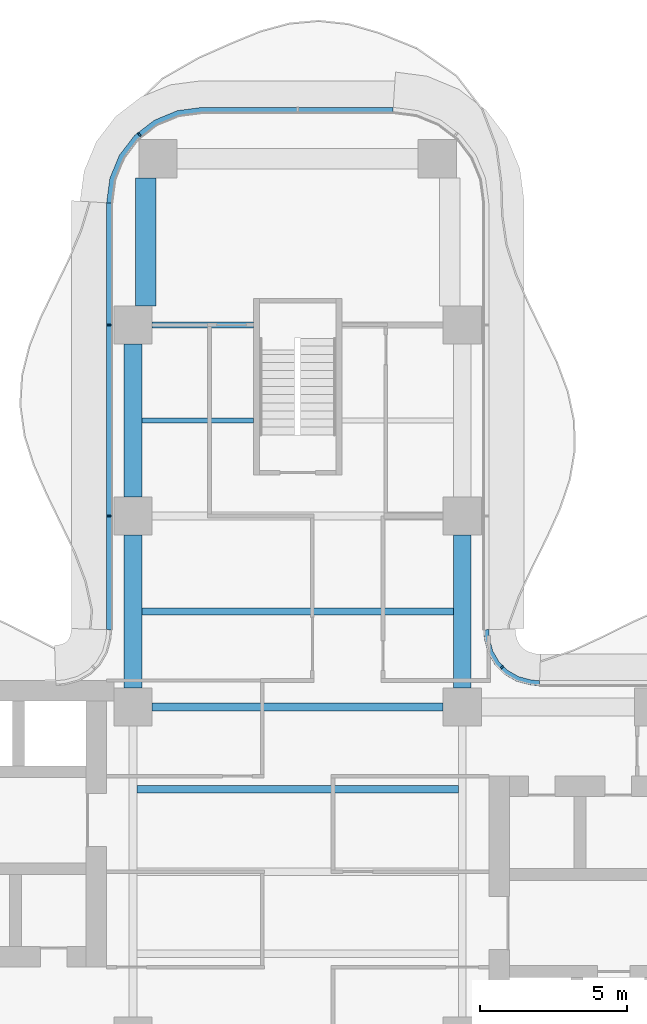
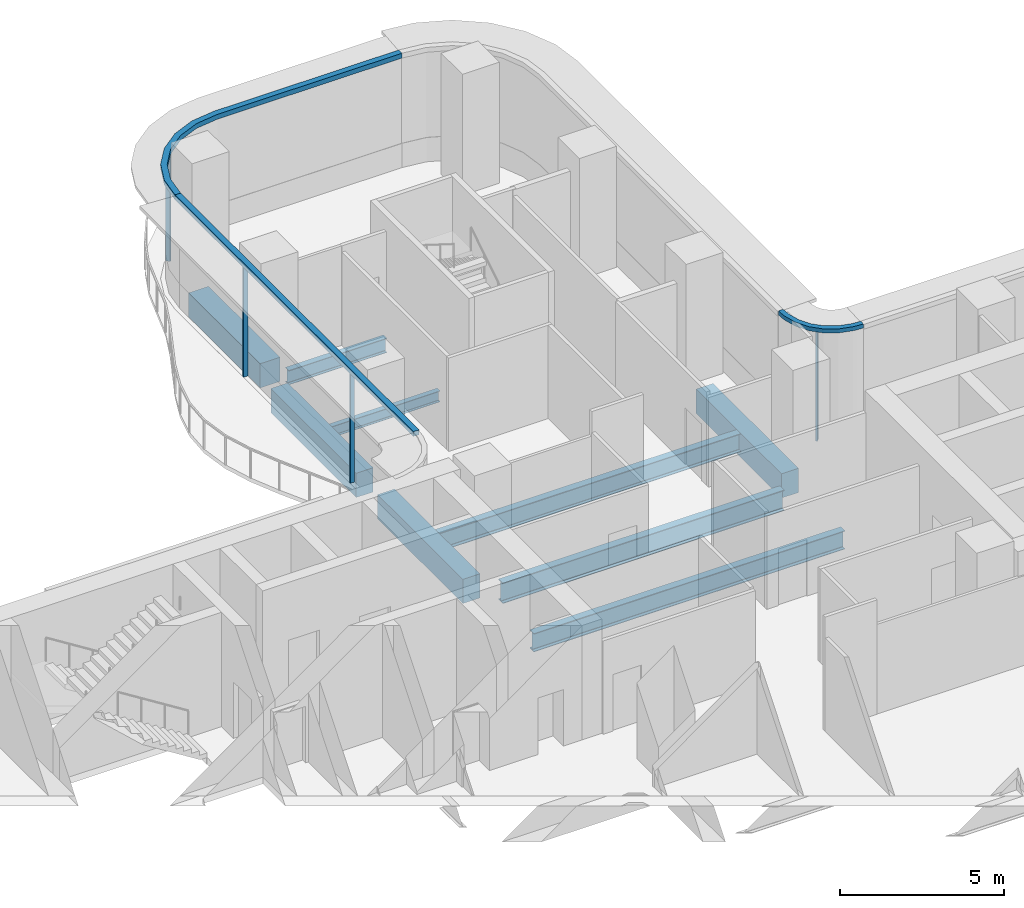
# One storey, part 9 of 21: 9 beams, 7 members, 3 elements without a shape of their own.
"""IFC4 building model written with IfcOpenShell, lengths in metres."""

import ifcopenshell
import ifcopenshell.guid

model = None  # the IFC model being written
_history = None  # IfcOwnerHistory: only IFC2X3 demands one
_inside = {}  # id of a spatial element -> (the spatial element, [elements in it])
_under = {}  # id of a project, library or spatial element -> (it, [spatial elements below it])
_declared = {}  # id of a project -> (the project, [libraries it declares])
_typed = {}  # id of a type object -> (the type object, [elements of that type])
_made_of = {}  # id of a material, layer set ... -> (it, [elements and type objects made of it])


def new_model(schema):
    """Start an empty IFC model of exactly this schema.

    Asked for "IFC4X3", IfcOpenShell would pick the latest addendum, in which some entities
    have other attributes; the version numbers below select the first issue.
    IFC2X3 requires an IfcOwnerHistory on every rooted entity: one is made here for all.
    """
    global model, _history
    if schema == "IFC4X3":
        model = ifcopenshell.file(schema_version=(4, 3, 0, 0))
    else:
        model = ifcopenshell.file(schema=schema)
    _inside.clear()
    _under.clear()
    _declared.clear()
    _typed.clear()
    _made_of.clear()
    _history = None
    if model.schema == "IFC2X3":
        org = make("IfcOrganization", Name="unknown")
        user = make(
            "IfcPersonAndOrganization",
            ThePerson=make("IfcPerson", FamilyName="unknown"),
            TheOrganization=org,
        )
        app = make(
            "IfcApplication",
            ApplicationDeveloper=org,
            Version="unknown",
            ApplicationFullName="unknown",
            ApplicationIdentifier="unknown",
        )
        _history = make(
            "IfcOwnerHistory",
            OwningUser=user,
            OwningApplication=app,
            ChangeAction="ADDED",
            CreationDate=0,
        )
    return model


def make(cls, **values):
    """One entity of the class cls with the attributes given. An attribute that is None is left unset."""
    return model.create_entity(
        cls, **{name: value for name, value in values.items() if value is not None}
    )


def rooted(cls, **values):
    """An entity with a GlobalId (a new one), such as an element, a storey or a relation."""
    return make(cls, GlobalId=ifcopenshell.guid.new(), OwnerHistory=_history, **values)


def si_unit(unit_type, name, prefix=None):
    """IfcSIUnit, for example si_unit("LENGTHUNIT", "METRE", prefix="MILLI")."""
    return make("IfcSIUnit", UnitType=unit_type, Prefix=prefix, Name=name)


def assignment(units):
    """IfcUnitAssignment: the units of a project."""
    return None if units is None else make("IfcUnitAssignment", Units=units)


def point(xyz):
    """IfcCartesianPoint."""
    return None if xyz is None else make("IfcCartesianPoint", Coordinates=xyz)


def direction(xyz):
    """IfcDirection."""
    return None if xyz is None else make("IfcDirection", DirectionRatios=xyz)


def frame(location, z_axis=None, x_axis=None):
    """IfcAxis2Placement3D, a coordinate frame: its origin and axes. An axis left out is left unset."""
    return make(
        "IfcAxis2Placement3D",
        Location=point(location),
        Axis=direction(z_axis),
        RefDirection=direction(x_axis),
    )


def frame_2d(location, x_axis=None):
    """IfcAxis2Placement2D, a coordinate frame in the plane: its origin and x axis."""
    return make(
        "IfcAxis2Placement2D", Location=point(location), RefDirection=direction(x_axis)
    )


def origin():
    """The frame at (0, 0, 0) with its axes left unset."""
    return frame((0.0, 0.0, 0.0))


def origin_2d():
    """The frame at (0, 0) in the plane with its x axis left unset."""
    return frame_2d((0.0, 0.0))


def place(relative_to, where):
    """IfcLocalPlacement: puts the frame where relative to a parent placement (None: the world)."""
    return make(
        "IfcLocalPlacement", PlacementRelTo=relative_to, RelativePlacement=where
    )


def context(
    kind, dimensions, precision=None, world=None, true_north=None, identifier=None
):
    """IfcGeometricRepresentationContext, for example the 3D "Model" context."""
    return make(
        "IfcGeometricRepresentationContext",
        ContextIdentifier=identifier,
        ContextType=kind,
        CoordinateSpaceDimension=dimensions,
        Precision=precision,
        WorldCoordinateSystem=world,
        TrueNorth=true_north,
    )


def subcontext(parent, identifier, kind, view, scale=None):
    """IfcGeometricRepresentationSubContext, for example "Body" below "Model"."""
    return make(
        "IfcGeometricRepresentationSubContext",
        ContextIdentifier=identifier,
        ContextType=kind,
        ParentContext=parent,
        TargetScale=scale,
        TargetView=view,
    )


def project(units=None, contexts=None):
    """IfcProject with its units and contexts."""
    return rooted(
        "IfcProject",
        Name="project",
        RepresentationContexts=contexts,
        UnitsInContext=assignment(units),
    )


def spatial(cls, under=None, at=None, **own):
    """A site, building, storey or space (cls), placed at a placement, below another one or the project."""
    s = rooted(cls, ObjectPlacement=at, **own)
    if under is not None:
        _under.setdefault(under.id(), (under, []))[1].append(s)
    return s


def polyline(points):
    """IfcPolyline through the points."""
    return make("IfcPolyline", Points=[point(p) for p in points])


def profile(cls, at=None, kind="AREA", **sizes):
    """A parametric profile (cls). Its sizes go by their IFC names, for example OverallWidth=200.0."""
    return make(cls, ProfileType=kind, Position=at, **sizes)


def rectangle(**sizes):
    """IfcRectangleProfileDef."""
    return profile("IfcRectangleProfileDef", **sizes)


def i_section(**sizes):
    """IfcIShapeProfileDef."""
    return profile("IfcIShapeProfileDef", **sizes)


def outline(outer, holes=None, kind="AREA"):
    """IfcArbitraryClosedProfileDef: a profile drawn as a closed curve; with holes, ...WithVoids."""
    if holes is None:
        return make("IfcArbitraryClosedProfileDef", ProfileType=kind, OuterCurve=outer)
    return make(
        "IfcArbitraryProfileDefWithVoids",
        ProfileType=kind,
        OuterCurve=outer,
        InnerCurves=holes,
    )


def extrude(swept, where, along, depth):
    """IfcExtrudedAreaSolid: the profile swept, set in the frame where, extruded along a direction by depth."""
    return make(
        "IfcExtrudedAreaSolid",
        SweptArea=swept,
        Position=where,
        ExtrudedDirection=direction(along),
        Depth=depth,
    )


def shape(context_of_items, identifier, shape_type, items):
    """IfcShapeRepresentation: the items that make up one representation, for example the "Body"."""
    return make(
        "IfcShapeRepresentation",
        ContextOfItems=context_of_items,
        RepresentationIdentifier=identifier,
        RepresentationType=shape_type,
        Items=items,
    )


def source(mapping_origin, context_of_items, identifier, shape_type, items):
    """IfcRepresentationMap: a shape defined once, which mapped items show again and again."""
    return make(
        "IfcRepresentationMap",
        MappingOrigin=mapping_origin,
        MappedRepresentation=shape(context_of_items, identifier, shape_type, items),
    )


def transform(
    local_origin,
    x_axis=None,
    y_axis=None,
    z_axis=None,
    scale=None,
    scale2=None,
    scale3=None,
    uniform=True,
):
    """IfcCartesianTransformationOperator3D, or its non-uniform kind. x_axis, y_axis, z_axis: its Axis1, 2, 3."""
    if uniform:
        return make(
            "IfcCartesianTransformationOperator3D",
            Axis1=direction(x_axis),
            Axis2=direction(y_axis),
            LocalOrigin=point(local_origin),
            Scale=scale,
            Axis3=direction(z_axis),
        )
    return make(
        "IfcCartesianTransformationOperator3DnonUniform",
        Axis1=direction(x_axis),
        Axis2=direction(y_axis),
        LocalOrigin=point(local_origin),
        Scale=scale,
        Axis3=direction(z_axis),
        Scale2=scale2,
        Scale3=scale3,
    )


def mapped(mapping_source, mapping_target):
    """IfcMappedItem: shows the shape of a source again, moved by a transform."""
    return make(
        "IfcMappedItem", MappingSource=mapping_source, MappingTarget=mapping_target
    )


def material(Name=None, Category=None):
    """IfcMaterial."""
    return make("IfcMaterial", Name=Name, Category=Category)


def layer(
    of_material, thickness, ventilated=None, Name=None, Category=None, Priority=None
):
    """IfcMaterialLayer: one layer of a wall or slab, of a material (None: an air gap)."""
    return make(
        "IfcMaterialLayer",
        Material=of_material,
        LayerThickness=thickness,
        IsVentilated=ventilated,
        Name=Name,
        Category=Category,
        Priority=Priority,
    )


def layer_set(layers, Name=None):
    """IfcMaterialLayerSet."""
    return make("IfcMaterialLayerSet", MaterialLayers=layers, LayerSetName=Name)


def material_profile(
    of_material, cross_section, Name=None, Category=None, Priority=None
):
    """IfcMaterialProfile: a cross section and its material."""
    return make(
        "IfcMaterialProfile",
        Name=Name,
        Material=of_material,
        Profile=cross_section,
        Priority=Priority,
        Category=Category,
    )


def profile_set(profiles, Name=None, composite=None):
    """IfcMaterialProfileSet."""
    return make(
        "IfcMaterialProfileSet",
        Name=Name,
        MaterialProfiles=profiles,
        CompositeProfile=composite,
    )


def made_of(thing, what):
    """Note that an element or type object is made of a material, layer set ...; save() writes the relation."""
    if what is not None:
        _made_of.setdefault(what.id(), (what, []))[1].append(thing)
    return thing


def type_object(cls, material=None, **own):
    """A type object (cls), such as IfcWallType, which elements share."""
    return made_of(rooted(cls, **own), material)


def element(
    cls,
    number,
    at=None,
    inside=None,
    cuts=None,
    type_object=None,
    material=None,
    context=None,
    identifier="Body",
    shape_type=None,
    held_by="IfcProductDefinitionShape",
    body=None,
    shapes=None,
    **own,
):
    """One element of the class cls, such as IfcWall. Its Tag is "e" and its number.

    at: its placement. inside: the storey or other place that contains it. cuts: it is an
    opening in that element (IfcRelVoidsElement). A single representation is given by context,
    identifier, shape_type and body (its items); several are given by shapes. held_by: the class
    of the entity that holds the representations. save() writes the other relations.
    """
    e = rooted(cls, Tag="e%d" % number, ObjectPlacement=at, **own)
    if body is not None:
        shapes = [shape(context, identifier, shape_type, body)]
    if shapes is not None:
        e.Representation = make(held_by, Representations=shapes)
    if inside is not None:
        _inside.setdefault(inside.id(), (inside, []))[1].append(e)
    if cuts is not None:
        rooted(
            "IfcRelVoidsElement", RelatingBuildingElement=cuts, RelatedOpeningElement=e
        )
    if type_object is not None:
        _typed.setdefault(type_object.id(), (type_object, []))[1].append(e)
    return made_of(e, material)


def aggregate(whole, parts):
    """IfcRelAggregates: a whole, such as a stair, and the parts it consists of."""
    return rooted("IfcRelAggregates", RelatingObject=whole, RelatedObjects=parts)


def save(model, path):
    """Write the relations noted so far, then the file.

    IfcRelAggregates (storeys below a building ...), IfcRelContainedInSpatialStructure (elements
    in a storey), IfcRelDefinesByType, IfcRelAssociatesMaterial and IfcRelDeclares: one each for
    every whole, place, type object, material and project.
    """
    for whole, parts in _under.values():
        aggregate(whole, parts)
    for where, things in _inside.values():
        rooted(
            "IfcRelContainedInSpatialStructure",
            RelatedElements=things,
            RelatingStructure=where,
        )
    for kind, things in _typed.values():
        rooted("IfcRelDefinesByType", RelatedObjects=things, RelatingType=kind)
    for what, things in _made_of.values():
        rooted("IfcRelAssociatesMaterial", RelatedObjects=things, RelatingMaterial=what)
    for by, libraries in _declared.values():
        rooted("IfcRelDeclares", RelatingContext=by, RelatedDefinitions=libraries)
    model.write(path)


model = new_model("IFC4")

# Units and contexts
model_context = context("Model", 3, precision=1e-05, world=origin(), true_north=direction((0.0, 1.0)))
body_context = subcontext(model_context, "Body", "Model", "MODEL_VIEW")
ifc_project = project(units=[si_unit("LENGTHUNIT", "METRE"), si_unit("AREAUNIT", "SQUARE_METRE"), si_unit("VOLUMEUNIT", "CUBIC_METRE"), si_unit("PLANEANGLEUNIT", "RADIAN"), si_unit("MASSUNIT", "GRAM", prefix="KILO")], contexts=[model_context])

# Site, building, storey
site_placement = place(None, origin())
site = spatial("IfcSite", under=ifc_project, at=site_placement, CompositionType="ELEMENT")
building_placement = place(site_placement, origin())
building = spatial("IfcBuilding", under=site, at=building_placement, Name="Trellis Farm Tower", CompositionType="ELEMENT")
storey_placement = place(building_placement, frame((0.0, 0.0, 106.5)))
storey = spatial("IfcBuildingStorey", under=building, at=storey_placement, Name="L22", CompositionType="ELEMENT", Elevation=106.5)

# Beams
ifc_material_1 = material(Name="Steel S355", Category="steel")
ifc_material_profile_1 = material_profile(ifc_material_1, i_section(OverallWidth=0.253662109375, OverallDepth=0.68359375, WebThickness=0.012451171875, FlangeThickness=0.021728515625, FilletRadius=0.01513671875, at=origin_2d()), Name="UB 686x254x140")
ifc_profile_set_1 = profile_set([ifc_material_profile_1], Name="Steel S355")
beam_type_1 = type_object("IfcBeamType", Name="UB 686x254x140 joist", PredefinedType="JOIST", material=ifc_profile_set_1)
shared_shape_1 = source(origin(), body_context, "Body", "SweptSolid", [
    extrude(i_section(OverallWidth=0.253662109375, OverallDepth=0.68359375, WebThickness=0.012451171875, FlangeThickness=0.021728515625, FilletRadius=0.01513671875, at=origin_2d()), origin(), (0.0, 0.0, 1.0), 10.93310546875),
])
beam_1_placement = place(storey_placement, frame((-5.466552734375, 2.800048828125, -0.591796875), z_axis=(1.0, 0.0, 0.0), x_axis=(0.0, 1.0, 0.0)))
element("IfcBeam", 1, at=beam_1_placement, inside=storey, type_object=beam_type_1, Name="Floor beam", PredefinedType="JOIST", context=body_context, shape_type="MappedRepresentation", body=[
    mapped(shared_shape_1, transform((0.0, 0.0, 0.0))),
])
ifc_material_profile_2 = material_profile(ifc_material_1, i_section(OverallWidth=0.177978515625, OverallDepth=0.406494140625, WebThickness=0.0078125, FlangeThickness=0.0126953125, FilletRadius=0.01025390625, at=origin_2d()), Name="UB 406x178x60")
ifc_profile_set_2 = profile_set([ifc_material_profile_2], Name="Steel S355")
beam_type_2 = type_object("IfcBeamType", Name="UB 406x178x60 joist", PredefinedType="JOIST", material=ifc_profile_set_2)
shared_shape_2 = source(origin(), body_context, "Body", "SweptSolid", [
    extrude(i_section(OverallWidth=0.177978515625, OverallDepth=0.406494140625, WebThickness=0.0078125, FlangeThickness=0.0126953125, FilletRadius=0.01025390625, at=origin_2d()), origin(), (0.0, 0.0, 1.0), 3.800048828125),
])
beam_2_placement = place(storey_placement, frame((-5.300048828125, 15.35009765625, -0.453125), z_axis=(1.0, 0.0, 0.0), x_axis=(0.0, 1.0, 0.0)))
element("IfcBeam", 2, at=beam_2_placement, inside=storey, type_object=beam_type_2, Name="Floor beam", PredefinedType="JOIST", context=body_context, shape_type="MappedRepresentation", body=[
    mapped(shared_shape_2, transform((0.0, 0.0, 0.0))),
])
shared_shape_3 = source(origin(), body_context, "Body", "SweptSolid", [
    extrude(i_section(OverallWidth=0.253662109375, OverallDepth=0.68359375, WebThickness=0.012451171875, FlangeThickness=0.021728515625, FilletRadius=0.01513671875, at=origin_2d()), origin(), (0.0, 0.0, 1.0), 10.60009765625),
])
beam_3_placement = place(storey_placement, frame((-5.300048828125, 8.85009765625, -0.591796875), z_axis=(1.0, 0.0, 0.0), x_axis=(0.0, 1.0, 0.0)))
element("IfcBeam", 3, at=beam_3_placement, inside=storey, type_object=beam_type_1, Name="Floor beam", PredefinedType="JOIST", context=body_context, shape_type="MappedRepresentation", body=[
    mapped(shared_shape_3, transform((0.0, 0.0, 0.0))),
])
ifc_material_profile_3 = material_profile(ifc_material_1, i_section(OverallWidth=0.209228515625, OverallDepth=0.533203125, WebThickness=0.010009765625, FlangeThickness=0.015625, FilletRadius=0.0126953125, at=origin_2d()), Name="UB 533x210x92")
ifc_profile_set_3 = profile_set([ifc_material_profile_3], Name="Steel S355")
beam_type_3 = type_object("IfcBeamType", Name="UB 533x210x92", PredefinedType="BEAM", material=ifc_profile_set_3)
shared_shape_4 = source(origin(), body_context, "Body", "SweptSolid", [
    extrude(i_section(OverallWidth=0.209228515625, OverallDepth=0.533203125, WebThickness=0.010009765625, FlangeThickness=0.015625, FilletRadius=0.0126953125, at=origin_2d()), origin(), (0.0, 0.0, 1.0), 3.449951171875),
])
beam_4_placement = place(storey_placement, frame((-4.949951171875, 18.60009765625, -0.5166015625), z_axis=(1.0, 0.0, 0.0), x_axis=(0.0, 1.0, 0.0)))
element("IfcBeam", 4, at=beam_4_placement, inside=storey, type_object=beam_type_3, Name="Girder", PredefinedType="BEAM", context=body_context, shape_type="MappedRepresentation", body=[
    mapped(shared_shape_4, transform((0.0, 0.0, 0.0))),
])
ifc_material_profile_4 = material_profile(ifc_material_1, i_section(OverallWidth=0.2666015625, OverallDepth=0.76220703125, WebThickness=0.014404296875, FlangeThickness=0.021484375, FilletRadius=0.0166015625, at=origin_2d()), Name="UB 762x267x173")
ifc_profile_set_4 = profile_set([ifc_material_profile_4], Name="Steel S355")
beam_type_4 = type_object("IfcBeamType", Name="UB 762x267x173", PredefinedType="BEAM", material=ifc_profile_set_4)
shared_shape_5 = source(origin(), body_context, "Body", "SweptSolid", [
    extrude(i_section(OverallWidth=0.2666015625, OverallDepth=0.76220703125, WebThickness=0.014404296875, FlangeThickness=0.021484375, FilletRadius=0.0166015625, at=origin_2d()), origin(), (0.0, 0.0, 1.0), 9.89990234375),
])
beam_5_placement = place(storey_placement, frame((-4.949951171875, 5.60009765625, -0.631103515625), z_axis=(1.0, 0.0, 0.0), x_axis=(0.0, 1.0, 0.0)))
element("IfcBeam", 5, at=beam_5_placement, inside=storey, type_object=beam_type_4, Name="Girder", PredefinedType="BEAM", context=body_context, shape_type="MappedRepresentation", body=[
    mapped(shared_shape_5, transform((0.0, 0.0, 0.0))),
])
ifc_material_2 = material(Name="Concrete C60/75", Category="concrete")
ifc_material_profile_5 = material_profile(ifc_material_2, rectangle(XDim=0.60009765625, YDim=0.89990234375, at=origin_2d()), Name="RC spandrel beam 600x900 C60/75")
ifc_profile_set_5 = profile_set([ifc_material_profile_5], Name="Concrete C60/75")
beam_type_5 = type_object("IfcBeamType", Name="RC spandrel beam 600x900 C60/75", PredefinedType="SPANDREL", material=ifc_profile_set_5)
shared_shape_6 = source(origin(), body_context, "Body", "SweptSolid", [
    extrude(rectangle(XDim=0.60009765625, YDim=0.89990234375, at=origin_2d()), origin(), (0.0, 0.0, 1.0), 5.199951171875),
])
for number, where, z_axis, x_axis, name in (
    (6, (-5.60009765625, 6.25, -0.699951171875), (0.0, 1.0, 0.0), (-1.0, 0.0, 0.0), "Girder"),
    (7, (-5.60009765625, 12.75, -0.699951171875), (0.0, 1.0, 0.0), (-1.0, 0.0, 0.0), "Girder"),
    (8, (5.60009765625, 6.25, -0.699951171875), (0.0, 1.0, 0.0), (-1.0, 0.0, 0.0), "Girder"),
):
    element("IfcBeam", number, at=place(storey_placement, frame(where, z_axis=z_axis, x_axis=x_axis)), inside=storey, type_object=beam_type_5, Name=name, PredefinedType="SPANDREL", context=body_context, shape_type="MappedRepresentation", body=[
        mapped(shared_shape_6, transform((0.0, 0.0, 0.0))),
    ])
ifc_material_profile_6 = material_profile(ifc_material_2, rectangle(XDim=0.699951171875, YDim=0.89990234375, at=origin_2d()), Name="RC spandrel beam 700x900 C60/75")
ifc_profile_set_6 = profile_set([ifc_material_profile_6], Name="Concrete C60/75")
beam_type_6 = type_object("IfcBeamType", Name="RC spandrel beam 700x900 C60/75", PredefinedType="SPANDREL", material=ifc_profile_set_6)
shared_shape_7 = source(origin(), body_context, "Body", "SweptSolid", [
    extrude(rectangle(XDim=0.699951171875, YDim=0.89990234375, at=origin_2d()), origin(), (0.0, 0.0, 1.0), 4.35009765625),
])
beam_6_placement = place(storey_placement, frame((-5.175048828125, 19.25, -0.699951171875), z_axis=(0.0, 1.0, 0.0), x_axis=(-1.0, 0.0, 0.0)))
element("IfcBeam", 9, at=beam_6_placement, inside=storey, type_object=beam_type_6, Name="Girder", PredefinedType="SPANDREL", context=body_context, shape_type="MappedRepresentation", body=[
    mapped(shared_shape_7, transform((0.0, 0.0, 0.0))),
])

# Curtain wall, member
ifc_material_3 = material(Name="Aluminium and glass curtain wall", Category="aluminium")
ifc_layer_1 = layer(ifc_material_3, 0.18994140625)
ifc_layer_set_1 = layer_set([ifc_layer_1], Name="RIBBON CURTAIN WALL CW1")
curtain_wall_type_1 = type_object("IfcCurtainWallType", Name="RIBBON CURTAIN WALL CW1", PredefinedType="NOTDEFINED", material=ifc_layer_set_1)
placement_1 = place(storey_placement, origin())
curtain_wall_1 = element("IfcCurtainWall", 10, at=placement_1, inside=storey, type_object=curtain_wall_type_1, Name="CW1 010", PredefinedType="NOTDEFINED")
ifc_material_4 = material(Name="Aluminium extrusion 6063-T6", Category="aluminium")
ifc_material_profile_7 = material_profile(ifc_material_4, rectangle(XDim=0.06005859375, YDim=0.14990234375, at=origin_2d()), Name="MULLION 60x150")
ifc_profile_set_7 = profile_set([ifc_material_profile_7], Name="Aluminium extrusion 6063-T6")
member_type_1 = type_object("IfcMemberType", Name="CW1 MULLION 60x150", PredefinedType="MULLION", material=ifc_profile_set_7)
shared_shape_8 = source(origin(), body_context, "Body", "SweptSolid", [
    extrude(rectangle(XDim=0.06005859375, YDim=0.14990234375, at=origin_2d()), origin(), (0.0, 0.0, 1.0), 4.070068359375),
])
member_1_placement = place(storey_placement, frame((-5.385498046875, 25.078369140625, 0.0), z_axis=(0.0, 0.0, 1.0), x_axis=(-0.793353340291, -0.608761429009, 0.0)))
member_1 = element("IfcMember", 11, at=member_1_placement, type_object=member_type_1, Name="MU1 010-02", PredefinedType="MULLION", context=body_context, shape_type="MappedRepresentation", body=[
    mapped(shared_shape_8, transform((0.0, 0.0, 0.0))),
])

# Curtain wall, members
curtain_wall_2 = element("IfcCurtainWall", 12, at=placement_1, inside=storey, type_object=curtain_wall_type_1, Name="CW1 011", PredefinedType="NOTDEFINED")
member_2_placement = place(storey_placement, frame((-6.425048828125, 18.60009765625, 0.0), z_axis=(0.0, 0.0, 1.0), x_axis=(0.0, -1.0, 0.0)))
member_2 = element("IfcMember", 13, at=member_2_placement, type_object=member_type_1, Name="MU1 011-01", PredefinedType="MULLION", context=body_context, shape_type="MappedRepresentation", body=[
    mapped(shared_shape_8, transform((0.0, 0.0, 0.0))),
])
member_3_placement = place(storey_placement, frame((-6.425048828125, 12.10009765625, 0.0), z_axis=(0.0, 0.0, 1.0), x_axis=(0.0, -1.0, 0.0)))
member_3 = element("IfcMember", 14, at=member_3_placement, type_object=member_type_1, Name="MU1 011-02", PredefinedType="MULLION", context=body_context, shape_type="MappedRepresentation", body=[
    mapped(shared_shape_8, transform((0.0, 0.0, 0.0))),
])

ifc_layer_2 = layer(ifc_material_3, 0.166015625)
ifc_layer_set_2 = layer_set([ifc_layer_2], Name="WINTER GARDEN CURTAIN WALL CW3")
curtain_wall_type_2 = type_object("IfcCurtainWallType", Name="WINTER GARDEN CURTAIN WALL CW3", PredefinedType="NOTDEFINED", material=ifc_layer_set_2)
curtain_wall_3 = element("IfcCurtainWall", 15, at=placement_1, inside=storey, type_object=curtain_wall_type_2, Name="CW3 003", PredefinedType="NOTDEFINED")
ifc_material_profile_8 = material_profile(ifc_material_4, rectangle(XDim=0.050048828125, YDim=0.1201171875, at=origin_2d()), Name="MULLION 50x120")
ifc_profile_set_8 = profile_set([ifc_material_profile_8], Name="Aluminium extrusion 6063-T6")
member_type_2 = type_object("IfcMemberType", Name="CW3 MULLION 50x120", PredefinedType="MULLION", material=ifc_profile_set_8)
shared_shape_9 = source(origin(), body_context, "Body", "SweptSolid", [
    extrude(rectangle(XDim=0.050048828125, YDim=0.1201171875, at=origin_2d()), origin(), (0.0, 0.0, 1.0), 4.10009765625),
])
member_4_placement = place(storey_placement, frame((6.953125, 6.953125, 0.0), z_axis=(0.0, 0.0, 1.0), x_axis=(-0.707106781187, 0.707106781187, 0.0)))
member_4 = element("IfcMember", 16, at=member_4_placement, type_object=member_type_2, Name="MU3 003-01", PredefinedType="MULLION", context=body_context, shape_type="MappedRepresentation", body=[
    mapped(shared_shape_9, transform((0.0, 0.0, 0.0))),
])
ifc_layer_3 = layer(ifc_material_4, 0.169921875)
ifc_layer_set_3 = layer_set([ifc_layer_3], Name="Aluminium extrusion 6063-T6")
member_type_3 = type_object("IfcMemberType", Name="CW3 TRANSOM 170x150", PredefinedType="USERDEFINED", material=ifc_layer_set_3)
shared_shape_10 = source(origin(), body_context, "Body", "SweptSolid", [
    extrude(outline(polyline([(8.2314453125, 6.5), (8.01953125, 6.513916015625), (7.91552734375, 6.527587890625), (7.508544921875, 6.63671875), (7.144287109375, 6.846923828125), (6.846923828125, 7.144287109375), (6.63671875, 7.508544921875), (6.527587890625, 7.91552734375), (6.513916015625, 8.01953125), (6.5, 8.2314453125), (6.330078125, 8.225830078125), (6.3447265625, 8.0029296875), (6.360595703125, 7.88232421875), (6.478271484375, 7.44287109375), (6.7109375, 7.0400390625), (7.0400390625, 6.7109375), (7.44287109375, 6.478271484375), (7.88232421875, 6.360595703125), (8.0029296875, 6.3447265625), (8.225830078125, 6.330078125), (8.2314453125, 6.5)])), origin(), (0.0, 0.0, 1.0), 0.14990234375),
])
member_5_placement = place(storey_placement, frame((0.0, 0.0, 4.10009765625)))
member_5 = element("IfcMember", 17, at=member_5_placement, type_object=member_type_3, Name="TR3 003", ObjectType="TRANSOM", PredefinedType="USERDEFINED", context=body_context, shape_type="MappedRepresentation", body=[
    mapped(shared_shape_10, transform((0.0, 0.0, 0.0))),
])
aggregate(curtain_wall_3, [member_4, member_5])

# Member
ifc_layer_4 = layer(ifc_material_4, 0.199951171875)
ifc_layer_set_4 = layer_set([ifc_layer_4], Name="Aluminium extrusion 6063-T6")
member_type_4 = type_object("IfcMemberType", Name="CW1 TRANSOM 200x180", PredefinedType="USERDEFINED", material=ifc_layer_set_4)
shared_shape_11 = source(origin(), body_context, "Body", "SweptSolid", [
    extrude(outline(polyline([(-6.5, 22.75), (-6.5, 8.2314453125), (-6.300048828125, 8.224853515625), (-6.300048828125, 22.73681640625), (-6.5, 22.75)])), origin(), (0.0, 0.0, 1.0), 0.179931640625),
])
placement_2 = place(storey_placement, frame((0.0, 0.0, 4.070068359375)))
member_6 = element("IfcMember", 18, at=placement_2, type_object=member_type_4, Name="TR1 011", ObjectType="TRANSOM", PredefinedType="USERDEFINED", context=body_context, shape_type="MappedRepresentation", body=[
    mapped(shared_shape_11, transform((0.0, 0.0, 0.0))),
])

aggregate(curtain_wall_2, [member_2, member_3, member_6])

shared_shape_12 = source(origin(), body_context, "Body", "SweptSolid", [
    extrude(outline(polyline([(3.25, 26.0), (-3.25, 26.0), (-4.091064453125, 25.88916015625), (-4.875, 25.564697265625), (-5.548095703125, 25.048095703125), (-6.064697265625, 24.375), (-6.38916015625, 23.591064453125), (-6.5, 22.75), (-6.300048828125, 22.73681640625), (-6.1943359375, 23.5390625), (-5.889892578125, 24.274169921875), (-5.405517578125, 24.905517578125), (-4.774169921875, 25.389892578125), (-4.0390625, 25.6943359375), (-3.23681640625, 25.800048828125), (3.23681640625, 25.800048828125), (3.25, 26.0)])), origin(), (0.0, 0.0, 1.0), 0.179931640625),
])
member_7 = element("IfcMember", 19, at=placement_2, type_object=member_type_4, Name="TR1 010", ObjectType="TRANSOM", PredefinedType="USERDEFINED", context=body_context, shape_type="MappedRepresentation", body=[
    mapped(shared_shape_12, transform((0.0, 0.0, 0.0))),
])

aggregate(curtain_wall_1, [member_1, member_7])

save(model, "model.ifc")
